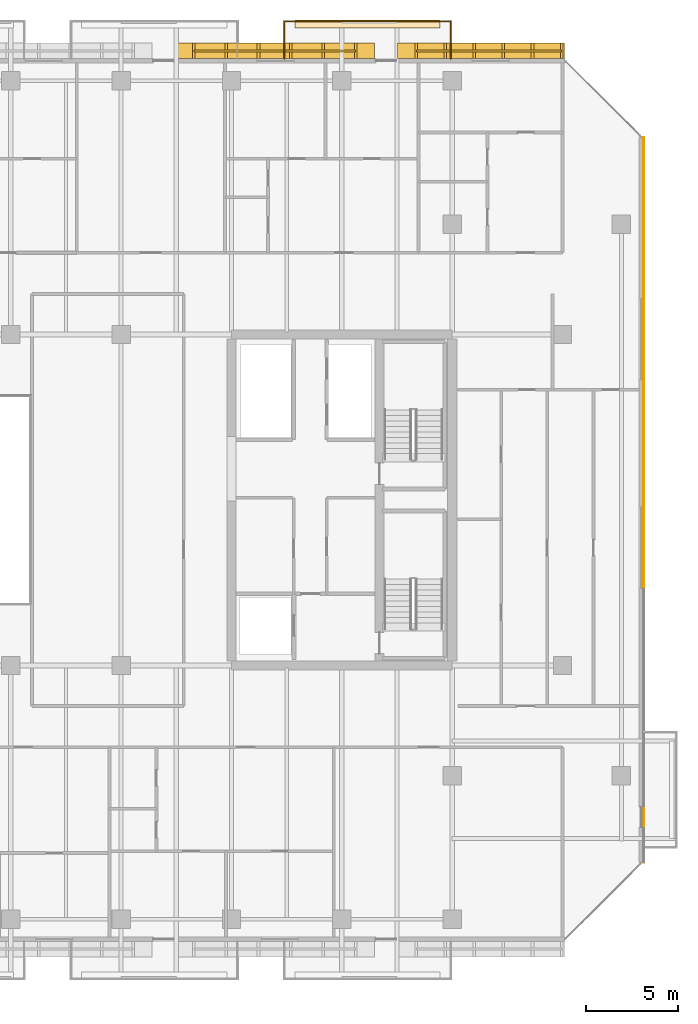
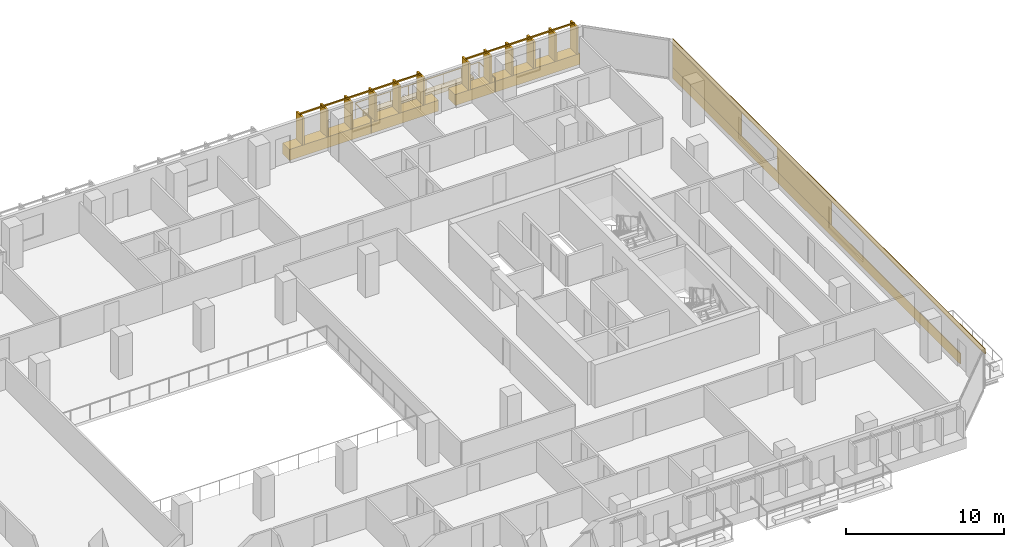
# One storey, part 33 of 33: 7 coverings, 3 railings.
"""IFC4 building model written with IfcOpenShell, lengths in metres."""

from ifc_helpers import new_model, si_unit, direction, frame, origin, origin_2d, place, context, subcontext, project, spatial, polyline, rectangle, outline, extrude, material, layer, layer_set, type_object, element, save


model = new_model("IFC4")

# Units and contexts
model_context = context("Model", 3, precision=1e-05, world=origin(), true_north=direction((0.0, 1.0)))
body_context = subcontext(model_context, "Body", "Model", "MODEL_VIEW")
ifc_project = project(units=[si_unit("LENGTHUNIT", "METRE"), si_unit("AREAUNIT", "SQUARE_METRE"), si_unit("VOLUMEUNIT", "CUBIC_METRE"), si_unit("PLANEANGLEUNIT", "RADIAN"), si_unit("MASSUNIT", "GRAM", prefix="KILO")], contexts=[model_context])

# Site, building, storey
site_placement = place(None, origin())
site = spatial("IfcSite", under=ifc_project, at=site_placement, CompositionType="ELEMENT")
building_placement = place(site_placement, origin())
building = spatial("IfcBuilding", under=site, at=building_placement, Name="Tanjung Sevakor Pilgrim Tower", CompositionType="ELEMENT")
storey_placement = place(building_placement, frame((0.0, 0.0, 95.3701171875)))
storey = spatial("IfcBuildingStorey", under=building, at=storey_placement, Name="L26", CompositionType="ELEMENT", Elevation=95.3701171875)

# Coverings
ifc_material_1 = material(Name="Reconstructed Limestone Cladding", Category="masonry")
ifc_layer_1 = layer(ifc_material_1, 0.044921875)
ifc_layer_set_1 = layer_set([ifc_layer_1], Name="COV-CLAD-LIMESTONE")
covering_type_1 = type_object("IfcCoveringType", Name="COV-CLAD-LIMESTONE", PredefinedType="CLADDING", material=ifc_layer_set_1)
covering_1_placement = place(storey_placement, frame((100.422607421875, 35.134033203125, 0.009765625), z_axis=(0.0, 0.0, 1.0), x_axis=(0.0, 1.0, 0.0)))
element("IfcCovering", 1, at=covering_1_placement, inside=storey, type_object=covering_type_1, Name="L26 Warm Limestone Sill Spandrel EW-L26-MAIN-7-2", PredefinedType="CLADDING", context=body_context, shape_type="SweptSolid", body=[
    extrude(rectangle(XDim=36.34814453125, YDim=0.044921875, at=origin_2d()), origin(), (0.0, 0.0, 1.0), 0.840087890625),
])
covering_2_placement = place(storey_placement, frame((100.422607421875, 33.60009765625, 2.66015625), z_axis=(0.0, 0.0, 1.0), x_axis=(0.0, 1.0, 0.0)))
element("IfcCovering", 2, at=covering_2_placement, inside=storey, type_object=covering_type_1, Name="L26 Warm Limestone Cornice Spandrel EW-L26-MAIN-7", PredefinedType="CLADDING", context=body_context, shape_type="SweptSolid", body=[
    extrude(rectangle(XDim=39.456298828125, YDim=0.044921875, at=origin_2d()), origin(), (0.0, 0.0, 1.0), 0.409912109375),
])
covering_3_placement = place(storey_placement, frame((100.422607421875, 36.679931640625, 0.849853515625), z_axis=(0.0, 0.0, 1.0), x_axis=(0.0, 1.0, 0.0)))
element("IfcCovering", 3, at=covering_3_placement, inside=storey, type_object=covering_type_1, Name="L26 Warm Limestone Pier Panel EW-L26-MAIN-7-2", PredefinedType="CLADDING", context=body_context, shape_type="SweptSolid", body=[
    extrude(rectangle(XDim=6.840087890625, YDim=0.044921875, at=origin_2d()), origin(), (0.0, 0.0, 1.0), 1.81005859375),
])
covering_4_placement = place(storey_placement, frame((100.422607421875, 48.9541015625, 0.849853515625), z_axis=(0.0, 0.0, 1.0), x_axis=(0.0, 1.0, 0.0)))
element("IfcCovering", 4, at=covering_4_placement, inside=storey, type_object=covering_type_1, Name="L26 Warm Limestone Pier Panel EW-L26-MAIN-7-3", PredefinedType="CLADDING", context=body_context, shape_type="SweptSolid", body=[
    extrude(rectangle(XDim=8.708251953125, YDim=0.044921875, at=origin_2d()), origin(), (0.0, 0.0, 1.0), 1.81005859375),
])
covering_5_placement = place(storey_placement, frame((91.55908203125, 58.030029296875, 0.009765625), z_axis=(0.0, 0.0, 1.0), x_axis=(-1.0, 0.0, 0.0)))
element("IfcCovering", 5, at=covering_5_placement, inside=storey, type_object=covering_type_1, Name="L26 Warm Limestone Sill Spandrel EW-L26-MAIN-9-1", PredefinedType="CLADDING", context=body_context, shape_type="SweptSolid", body=[
    extrude(rectangle(XDim=9.09814453125, YDim=0.860107421875, at=origin_2d()), origin(), (0.0, 0.0, 1.0), 0.840087890625),
])
covering_6_placement = place(storey_placement, frame((80.35009765625, 58.030029296875, 0.009765625), z_axis=(0.0, 0.0, 1.0), x_axis=(-1.0, 0.0, 0.0)))
element("IfcCovering", 6, at=covering_6_placement, inside=storey, type_object=covering_type_1, Name="L26 Warm Limestone Sill Spandrel EW-L26-MAIN-9-2", PredefinedType="CLADDING", context=body_context, shape_type="SweptSolid", body=[
    extrude(rectangle(XDim=10.8798828125, YDim=0.860107421875, at=origin_2d()), origin(), (0.0, 0.0, 1.0), 0.840087890625),
])
ifc_material_2 = material(Name="Vegetated Modular Planter Assembly", Category="organic")
ifc_layer_2 = layer(ifc_material_2, 0.35009765625)
ifc_layer_set_2 = layer_set([ifc_layer_2], Name="COV-GRN-TROUGH")
covering_type_2 = type_object("IfcCoveringType", Name="COV-GRN-TROUGH", PredefinedType="CLADDING", material=ifc_layer_set_2)
covering_7_placement = place(storey_placement, origin())
element("IfcCovering", 7, at=covering_7_placement, inside=storey, type_object=covering_type_2, Name="L26 Planted Landscape Hedge Trough BGRN-L26-MAIN-N4", PredefinedType="CLADDING", context=body_context, shape_type="SweptSolid", body=[
    extrude(outline(polyline([(81.449951171875, 59.260009765625), (89.35009765625, 59.260009765625), (89.35009765625, 59.699951171875), (81.449951171875, 59.699951171875), (81.449951171875, 59.260009765625)])), origin(), (0.0, 0.0, 1.0), 0.349853515625),
])

# Railings
ifc_material_3 = material(Name="Laminated Glass and Aluminium", Category="aluminium")
railing_type_1 = type_object("IfcRailingType", Name="RL-BAL-BALUST", PredefinedType="BALUSTRADE", material=ifc_material_3)
railing_1_placement = place(storey_placement, frame((80.8798828125, 57.60009765625, 0.0)))
element("IfcRailing", 8, at=railing_1_placement, inside=storey, type_object=railing_type_1, Name="L26 Loggia Balustrade MAIN-N4", PredefinedType="BALUSTRADE", context=body_context, shape_type="SweptSolid", body=[
    extrude(rectangle(XDim=0.0479, YDim=0.0479), frame((0.0, 0.0, 1.1259765625), z_axis=(0.0, 1.0, 0.0), x_axis=(-1.0, 0.0, 0.0)), (0.0, 0.0, 1.0), 2.02001953125),
    extrude(rectangle(XDim=0.0479, YDim=0.0479), frame((0.0, 2.02001953125, 1.1259765625), z_axis=(1.0, 0.0, 0.0), x_axis=(0.0, 1.0, 0.0)), (0.0, 0.0, 1.0), 9.0400390625),
    extrude(rectangle(XDim=0.0479, YDim=0.0479), frame((9.0400390625, 2.02001953125, 1.1259765625), z_axis=(0.0, -1.0, 0.0), x_axis=(1.0, 0.0, 0.0)), (0.0, 0.0, 1.0), 2.02001953125),
    extrude(rectangle(XDim=0.042, YDim=0.042), origin(), (0.0, 0.0, 1.0), 1.101806640625),
    extrude(rectangle(XDim=0.042, YDim=0.042), frame((0.0, 1.010009765625, 0.0)), (0.0, 0.0, 1.0), 1.101806640625),
    extrude(rectangle(XDim=0.042, YDim=0.042), frame((0.0, 2.02001953125, 0.0)), (0.0, 0.0, 1.0), 1.101806640625),
    extrude(rectangle(XDim=0.042, YDim=0.042), frame((1.29150390625, 2.02001953125, 0.0)), (0.0, 0.0, 1.0), 1.101806640625),
    extrude(rectangle(XDim=0.042, YDim=0.042), frame((2.582763671875, 2.02001953125, 0.0)), (0.0, 0.0, 1.0), 1.101806640625),
    extrude(rectangle(XDim=0.042, YDim=0.042), frame((3.874267578125, 2.02001953125, 0.0)), (0.0, 0.0, 1.0), 1.101806640625),
    extrude(rectangle(XDim=0.042, YDim=0.042), frame((5.165771484375, 2.02001953125, 0.0)), (0.0, 0.0, 1.0), 1.101806640625),
    extrude(rectangle(XDim=0.042, YDim=0.042), frame((6.457275390625, 2.02001953125, 0.0)), (0.0, 0.0, 1.0), 1.101806640625),
    extrude(rectangle(XDim=0.042, YDim=0.042), frame((7.74853515625, 2.02001953125, 0.0)), (0.0, 0.0, 1.0), 1.101806640625),
    extrude(rectangle(XDim=0.042, YDim=0.042), frame((9.0400390625, 2.02001953125, 0.0)), (0.0, 0.0, 1.0), 1.101806640625),
    extrude(rectangle(XDim=0.042, YDim=0.042), frame((9.0400390625, 1.010009765625, 0.0)), (0.0, 0.0, 1.0), 1.101806640625),
    extrude(rectangle(XDim=0.042, YDim=0.042), frame((9.0400390625, 0.0, 0.0)), (0.0, 0.0, 1.0), 1.101806640625),
])
ifc_material_4 = material(Name="Anodised Bronze Aluminium 6063-T6", Category="aluminium")
railing_type_2 = type_object("IfcRailingType", Name="RL-FIN-SCREEN", PredefinedType="BALUSTRADE", material=ifc_material_4)
railing_2_placement = place(storey_placement, frame((95.9482421875, 58.02490234375, 0.83984375)))
element("IfcRailing", 9, at=railing_2_placement, inside=storey, type_object=railing_type_2, Name="L26 Vertical Bronze-Gold Solar Fin Screen FNSCR-EW-L26-MAIN-9-1", PredefinedType="BALUSTRADE", context=body_context, shape_type="SweptSolid", body=[
    extrude(rectangle(XDim=0.105, YDim=0.105), frame((0.0, 0.0, 2.157470703125), z_axis=(-1.0, 0.0, 0.0), x_axis=(0.0, -1.0, 0.0)), (0.0, 0.0, 1.0), 7.898193359375),
    extrude(rectangle(XDim=0.14, YDim=0.85), origin(), (0.0, 0.0, 1.0), 2.10498046875),
    extrude(rectangle(XDim=0.14, YDim=0.85), frame((-1.57958984375, 0.0, 0.0)), (0.0, 0.0, 1.0), 2.10498046875),
    extrude(rectangle(XDim=0.14, YDim=0.85), frame((-3.1591796875, 0.0, 0.0)), (0.0, 0.0, 1.0), 2.10498046875),
    extrude(rectangle(XDim=0.14, YDim=0.85), frame((-4.739013671875, 0.0, 0.0)), (0.0, 0.0, 1.0), 2.10498046875),
    extrude(rectangle(XDim=0.14, YDim=0.85), frame((-6.318603515625, 0.0, 0.0)), (0.0, 0.0, 1.0), 2.10498046875),
    extrude(rectangle(XDim=0.14, YDim=0.85), frame((-7.898193359375, 0.0, 0.0)), (0.0, 0.0, 1.0), 2.10498046875),
])
railing_3_placement = place(storey_placement, frame((84.75, 58.02490234375, 0.83984375)))
element("IfcRailing", 10, at=railing_3_placement, inside=storey, type_object=railing_type_2, Name="L26 Vertical Bronze-Gold Solar Fin Screen FNSCR-EW-L26-MAIN-9-2", PredefinedType="BALUSTRADE", context=body_context, shape_type="SweptSolid", body=[
    extrude(rectangle(XDim=0.105, YDim=0.105), frame((0.0, 0.0, 2.157470703125), z_axis=(-1.0, 0.0, 0.0), x_axis=(0.0, -1.0, 0.0)), (0.0, 0.0, 1.0), 8.800048828125),
    extrude(rectangle(XDim=0.14, YDim=0.85), origin(), (0.0, 0.0, 1.0), 2.10498046875),
    extrude(rectangle(XDim=0.14, YDim=0.85), frame((-1.760009765625, 0.0, 0.0)), (0.0, 0.0, 1.0), 2.10498046875),
    extrude(rectangle(XDim=0.14, YDim=0.85), frame((-3.52001953125, 0.0, 0.0)), (0.0, 0.0, 1.0), 2.10498046875),
    extrude(rectangle(XDim=0.14, YDim=0.85), frame((-5.280029296875, 0.0, 0.0)), (0.0, 0.0, 1.0), 2.10498046875),
    extrude(rectangle(XDim=0.14, YDim=0.85), frame((-7.0400390625, 0.0, 0.0)), (0.0, 0.0, 1.0), 2.10498046875),
    extrude(rectangle(XDim=0.14, YDim=0.85), frame((-8.800048828125, 0.0, 0.0)), (0.0, 0.0, 1.0), 2.10498046875),
])

save(model, "model.ifc")
